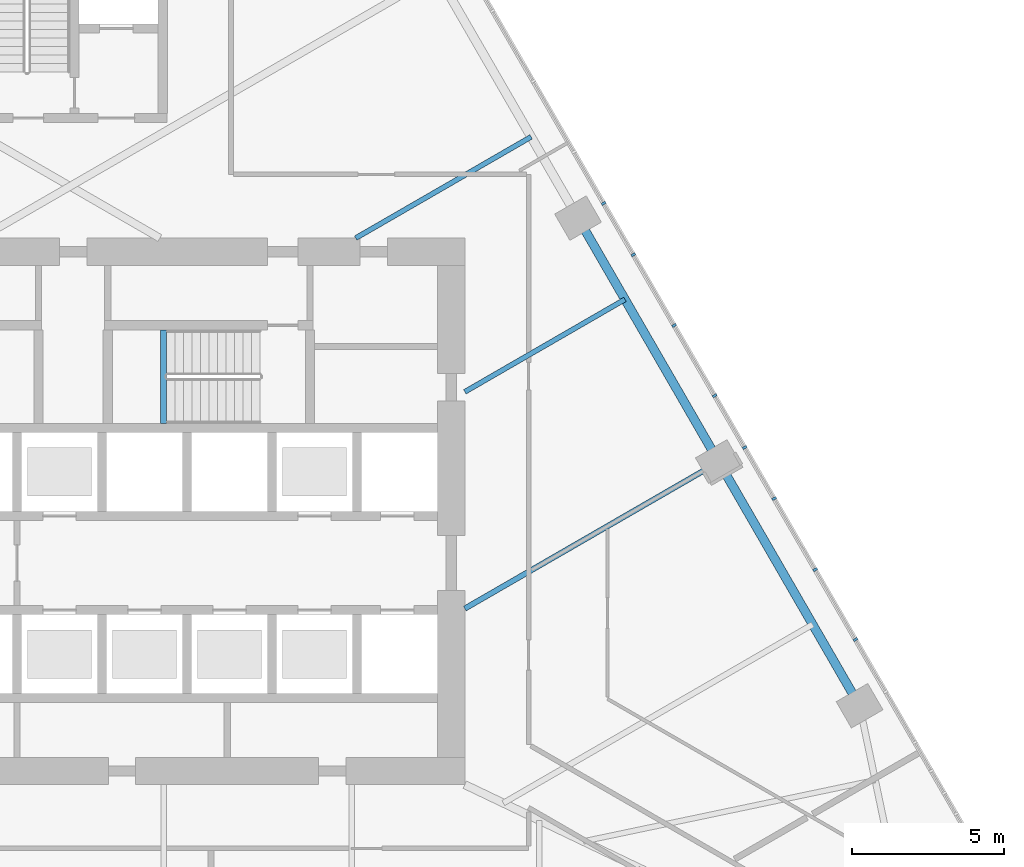
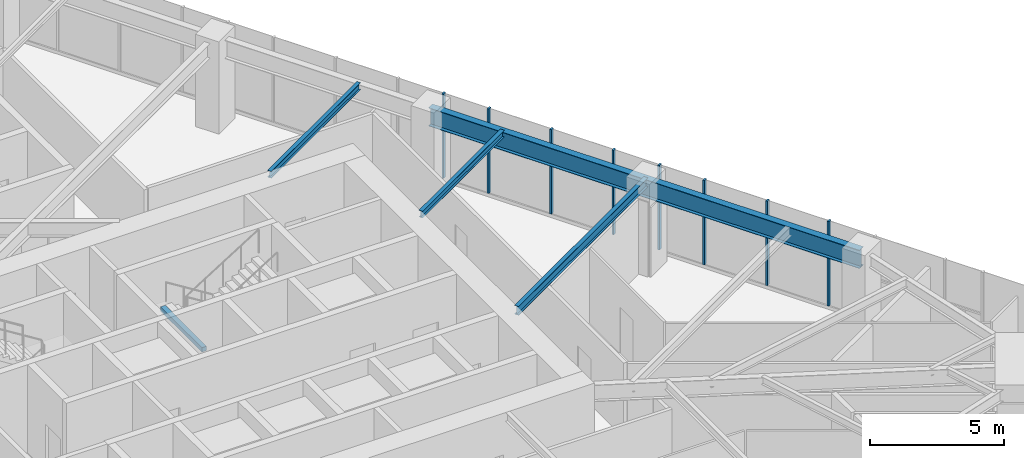
# One storey, part 7 of 22: 8 members, 5 beams, 1 element without a shape of its own.
"""IFC4 building model written with IfcOpenShell, lengths in metres."""

from ifc_helpers import new_model, si_unit, direction, frame, origin, origin_2d, place, context, subcontext, project, spatial, rectangle, i_section, extrude, material, layer, layer_set, material_profile, profile_set, type_object, element, aggregate, save


model = new_model("IFC4")

# Units and contexts
model_context = context("Model", 3, precision=1e-05, world=origin(), true_north=direction((0.0, 1.0)))
body_context = subcontext(model_context, "Body", "Model", "MODEL_VIEW")
ifc_project = project(units=[si_unit("LENGTHUNIT", "METRE"), si_unit("AREAUNIT", "SQUARE_METRE"), si_unit("VOLUMEUNIT", "CUBIC_METRE"), si_unit("PLANEANGLEUNIT", "RADIAN"), si_unit("MASSUNIT", "GRAM", prefix="KILO")], contexts=[model_context])

# Site, building, storey
site_placement = place(None, origin())
site = spatial("IfcSite", under=ifc_project, at=site_placement, CompositionType="ELEMENT")
building_placement = place(site_placement, origin())
building = spatial("IfcBuilding", under=site, at=building_placement, Name="Firuza Gate Tower and Library", CompositionType="ELEMENT")
storey_placement = place(building_placement, frame((0.0, 0.0, 128.199951171875)))
storey = spatial("IfcBuildingStorey", under=building, at=storey_placement, Name="L29", CompositionType="ELEMENT", Elevation=128.199951171875)

# Curtain wall, members
ifc_material_1 = material(Name="Aluminium 6063-T6", Category="aluminium")
ifc_layer = layer(ifc_material_1, 0.14990234375)
ifc_layer_set = layer_set([ifc_layer], Name="Unitised curtain wall, offices")
curtain_wall_type = type_object("IfcCurtainWallType", Name="Unitised curtain wall, offices", PredefinedType="NOTDEFINED", material=ifc_layer_set)
curtain_wall_placement = place(storey_placement, origin())
curtain_wall = element("IfcCurtainWall", 1, at=curtain_wall_placement, inside=storey, type_object=curtain_wall_type, Name="CW1 L29 E face", PredefinedType="NOTDEFINED")
ifc_material_2 = material(Name="Aluminium 6063-T6", Category="aluminium")
ifc_material_profile_1 = material_profile(ifc_material_2, rectangle(XDim=0.14990234375, YDim=0.080078125, at=origin_2d()))
ifc_profile_set_1 = profile_set([ifc_material_profile_1], Name="Aluminium 6063-T6")
member_type = type_object("IfcMemberType", Name="Curtain wall mullion 80x150", PredefinedType="MULLION", material=ifc_profile_set_1)
member_1_placement = place(storey_placement, frame((99.538330078125, 73.082275390625, 0.150146484375), z_axis=(0.0, 0.0, 1.0), x_axis=(-0.866025403784, -0.5, 0.0)))
member_1 = element("IfcMember", 2, at=member_1_placement, type_object=member_type, Name="Mullion", PredefinedType="MULLION", context=body_context, shape_type="SweptSolid", body=[
    extrude(rectangle(XDim=0.14990234375, YDim=0.080078125, at=origin_2d()), origin(), (0.0, 0.0, 1.0), 3.849853515625),
])
member_2_placement = place(storey_placement, frame((97.216796875, 77.103515625, 0.150146484375), z_axis=(0.0, 0.0, 1.0), x_axis=(-0.866025403784, -0.5, 0.0)))
member_2 = element("IfcMember", 3, at=member_2_placement, type_object=member_type, Name="Mullion", PredefinedType="MULLION", context=body_context, shape_type="SweptSolid", body=[
    extrude(rectangle(XDim=0.14990234375, YDim=0.080078125, at=origin_2d()), origin(), (0.0, 0.0, 1.0), 3.849853515625),
])
member_3_placement = place(storey_placement, frame((94.89501953125, 81.124755859375, 0.150146484375), z_axis=(0.0, 0.0, 1.0), x_axis=(-0.866025403784, -0.5, 0.0)))
member_3 = element("IfcMember", 4, at=member_3_placement, type_object=member_type, Name="Mullion", PredefinedType="MULLION", context=body_context, shape_type="SweptSolid", body=[
    extrude(rectangle(XDim=0.14990234375, YDim=0.080078125, at=origin_2d()), origin(), (0.0, 0.0, 1.0), 3.849853515625),
])
member_4_placement = place(storey_placement, frame((92.573486328125, 85.14599609375, 0.150146484375), z_axis=(0.0, 0.0, 1.0), x_axis=(-0.866025403784, -0.5, 0.0)))
member_4 = element("IfcMember", 5, at=member_4_placement, type_object=member_type, Name="Mullion", PredefinedType="MULLION", context=body_context, shape_type="SweptSolid", body=[
    extrude(rectangle(XDim=0.14990234375, YDim=0.080078125, at=origin_2d()), origin(), (0.0, 0.0, 1.0), 3.849853515625),
])
member_5_placement = place(storey_placement, frame((100.86767578125, 70.780029296875, 0.150146484375), z_axis=(0.0, 0.0, 1.0), x_axis=(-0.866025403784, -0.5, 0.0)))
member_5 = element("IfcMember", 6, at=member_5_placement, type_object=member_type, Name="Mullion", PredefinedType="MULLION", context=body_context, shape_type="SweptSolid", body=[
    extrude(rectangle(XDim=0.14990234375, YDim=0.080078125, at=origin_2d()), origin(), (0.0, 0.0, 1.0), 3.849853515625),
])
member_6_placement = place(storey_placement, frame((98.1875, 75.421875, 0.150146484375), z_axis=(0.0, 0.0, 1.0), x_axis=(-0.866025403784, -0.5, 0.0)))
member_6 = element("IfcMember", 7, at=member_6_placement, type_object=member_type, Name="Mullion", PredefinedType="MULLION", context=body_context, shape_type="SweptSolid", body=[
    extrude(rectangle(XDim=0.14990234375, YDim=0.080078125, at=origin_2d()), origin(), (0.0, 0.0, 1.0), 3.849853515625),
])
member_7_placement = place(storey_placement, frame((96.2314453125, 78.81005859375, 0.150146484375), z_axis=(0.0, 0.0, 1.0), x_axis=(-0.866025403784, -0.5, 0.0)))
member_7 = element("IfcMember", 8, at=member_7_placement, type_object=member_type, Name="Mullion", PredefinedType="MULLION", context=body_context, shape_type="SweptSolid", body=[
    extrude(rectangle(XDim=0.14990234375, YDim=0.080078125, at=origin_2d()), origin(), (0.0, 0.0, 1.0), 3.849853515625),
])
member_8_placement = place(storey_placement, frame((93.551513671875, 83.451904296875, 0.150146484375), z_axis=(0.0, 0.0, 1.0), x_axis=(-0.866025403784, -0.5, 0.0)))
member_8 = element("IfcMember", 9, at=member_8_placement, type_object=member_type, Name="Mullion", PredefinedType="MULLION", context=body_context, shape_type="SweptSolid", body=[
    extrude(rectangle(XDim=0.14990234375, YDim=0.080078125, at=origin_2d()), origin(), (0.0, 0.0, 1.0), 3.849853515625),
])
aggregate(curtain_wall, [member_1, member_2, member_3, member_4, member_5, member_6, member_7, member_8])

# Beams
ifc_material_3 = material(Name="Concrete C35/45", Category="concrete")
ifc_material_profile_2 = material_profile(ifc_material_3, rectangle(XDim=0.199951171875, YDim=0.199951171875, at=origin_2d()))
ifc_profile_set_2 = profile_set([ifc_material_profile_2], Name="Concrete C35/45")
beam_type_1 = type_object("IfcBeamType", Name="Stair landing bearer 200x200", PredefinedType="BEAM", material=ifc_profile_set_2)
beam_1_placement = place(storey_placement, frame((78.080078125, 80.97998046875, 1.800048828125), z_axis=(0.0, -1.0, 0.0), x_axis=(1.0, 0.0, 0.0)))
element("IfcBeam", 10, at=beam_1_placement, inside=storey, type_object=beam_type_1, Name="Landing bearer L29 stair 2", PredefinedType="BEAM", context=body_context, shape_type="SweptSolid", body=[
    extrude(rectangle(XDim=0.199951171875, YDim=0.199951171875, at=origin_2d()), origin(), (0.0, 0.0, 1.0), 3.080078125),
])
ifc_material_4 = material(Name="Steel S355", Category="steel")
ifc_material_profile_3 = material_profile(ifc_material_4, i_section(OverallWidth=0.1650390625, OverallDepth=0.31005859375, WebThickness=0.005859375, FlangeThickness=0.009765625, at=origin_2d()))
ifc_profile_set_3 = profile_set([ifc_material_profile_3], Name="Steel S355")
beam_type_2 = type_object("IfcBeamType", Name="W310x39 Floor beam", PredefinedType="JOIST", material=ifc_profile_set_3)
beam_2_placement = place(storey_placement, frame((93.2744140625, 81.98193359375, 3.844970703125), z_axis=(-0.866026709368, -0.499997738657, 0.0), x_axis=(0.499997738657, -0.866026709368, 0.0)))
element("IfcBeam", 11, at=beam_2_placement, inside=storey, type_object=beam_type_2, Name="Floor beam L29 s52", PredefinedType="JOIST", context=body_context, shape_type="SweptSolid", body=[
    extrude(i_section(OverallWidth=0.1650390625, OverallDepth=0.31005859375, WebThickness=0.005859375, FlangeThickness=0.009765625, at=origin_2d()), origin(), (0.0, 0.0, 1.0), 6.09033203125),
])
beam_3_placement = place(storey_placement, frame((90.18359375, 87.335205078125, 3.844970703125), z_axis=(-0.866020406929, -0.500008654708, 0.0), x_axis=(0.500008654708, -0.866020406929, 0.0)))
element("IfcBeam", 12, at=beam_3_placement, inside=storey, type_object=beam_type_2, Name="Floor beam L29 s53", PredefinedType="JOIST", context=body_context, shape_type="SweptSolid", body=[
    extrude(i_section(OverallWidth=0.1650390625, OverallDepth=0.31005859375, WebThickness=0.005859375, FlangeThickness=0.009765625, at=origin_2d()), origin(), (0.0, 0.0, 1.0), 6.67041015625),
])
ifc_material_5 = material(Name="Steel S355", Category="steel")
ifc_material_profile_4 = material_profile(ifc_material_5, i_section(OverallWidth=0.177978515625, OverallDepth=0.406982421875, WebThickness=0.0078125, FlangeThickness=0.0126953125, at=origin_2d()))
ifc_profile_set_4 = profile_set([ifc_material_profile_4], Name="Steel S355")
beam_type_3 = type_object("IfcBeamType", Name="W410x60 Floor beam", PredefinedType="JOIST", material=ifc_profile_set_4)
beam_4_placement = place(storey_placement, frame((96.365234375, 76.62841796875, 3.796630859375), z_axis=(-0.866029011319, -0.499993751515, 0.0), x_axis=(0.499993751515, -0.866029011319, 0.0)))
element("IfcBeam", 13, at=beam_4_placement, inside=storey, type_object=beam_type_3, Name="Floor beam L29 s51", PredefinedType="JOIST", context=body_context, shape_type="SweptSolid", body=[
    extrude(i_section(OverallWidth=0.177978515625, OverallDepth=0.406982421875, WebThickness=0.0078125, FlangeThickness=0.0126953125, at=origin_2d()), origin(), (0.0, 0.0, 1.0), 9.6591796875),
])
ifc_material_6 = material(Name="Steel S355", Category="steel")
ifc_material_profile_5 = material_profile(ifc_material_6, i_section(OverallWidth=0.2919921875, OverallDepth=0.8349609375, WebThickness=0.013916015625, FlangeThickness=0.018798828125, at=origin_2d()))
ifc_profile_set_5 = profile_set([ifc_material_profile_5], Name="Steel S355")
beam_type_4 = type_object("IfcBeamType", Name="W840x176 Edge beam", PredefinedType="SPANDREL", material=ifc_profile_set_5)
beam_5_placement = place(storey_placement, frame((101.001220703125, 68.598388671875, 3.58251953125), z_axis=(-0.499997478145, 0.866026859773, 0.0), x_axis=(-0.866026859773, -0.499997478145, 0.0)))
element("IfcBeam", 14, at=beam_5_placement, inside=storey, type_object=beam_type_4, Name="Edge beam L29 e50", PredefinedType="SPANDREL", context=body_context, shape_type="SweptSolid", body=[
    extrude(i_section(OverallWidth=0.2919921875, OverallDepth=0.8349609375, WebThickness=0.013916015625, FlangeThickness=0.018798828125, at=origin_2d()), origin(), (0.0, 0.0, 1.0), 18.54443359375),
])

save(model, "model.ifc")
